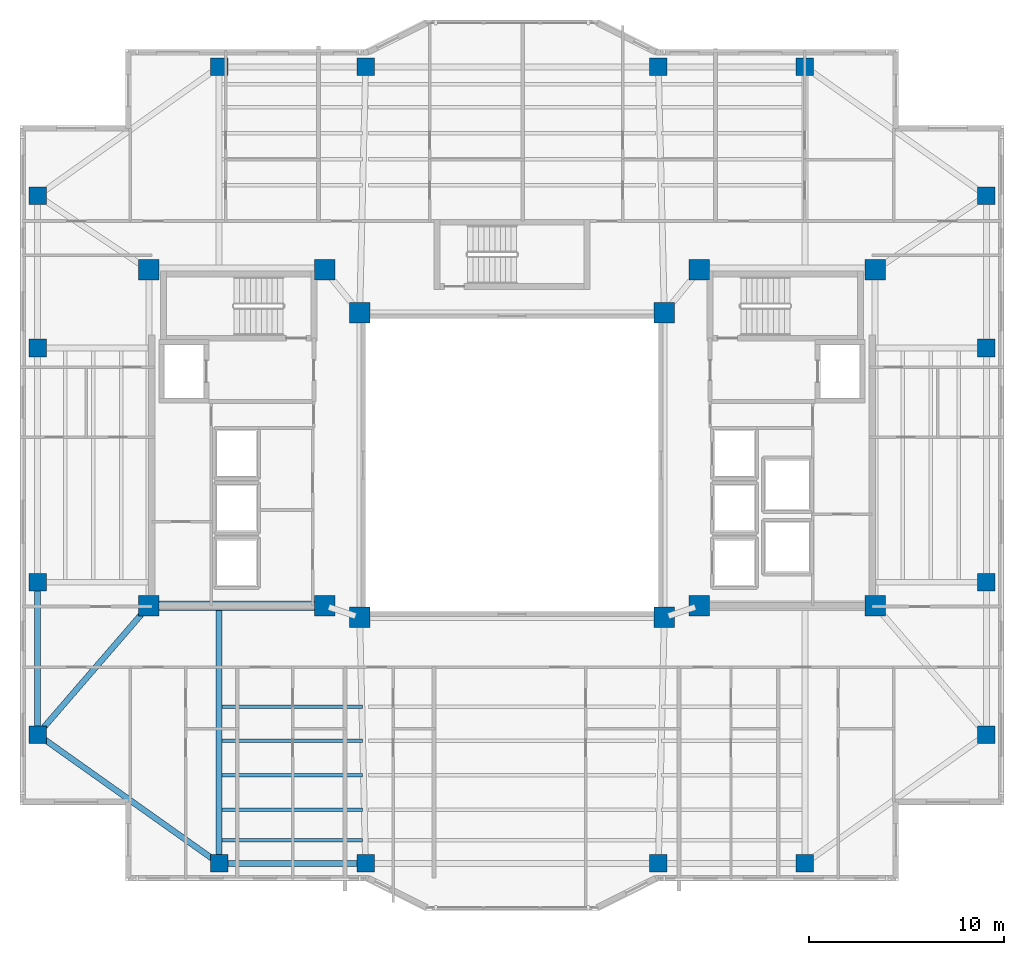
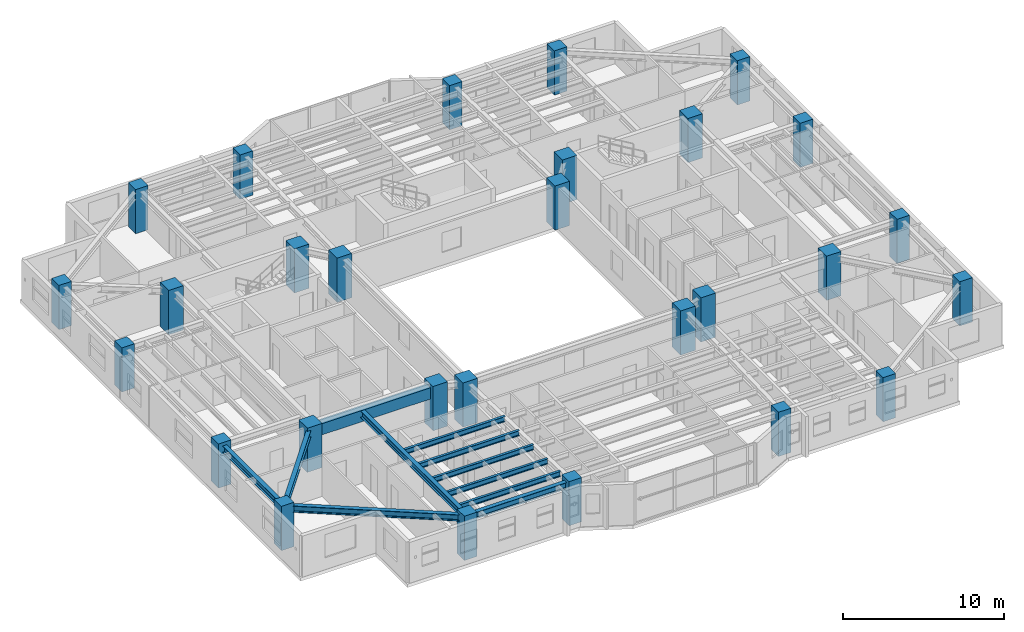
# One storey, part 1 of 16: 28 columns, 11 beams.
"""IFC4 building model written with IfcOpenShell, lengths in metres."""

from ifc_helpers import new_model, si_unit, direction, frame, origin, origin_2d, place, context, subcontext, project, spatial, rectangle, i_section, extrude, material, material_profile, profile_set, type_object, element, save


model = new_model("IFC4")

# Units and contexts
model_context = context("Model", 3, precision=1e-05, world=origin(), true_north=direction((0.0, 1.0)))
body_context = subcontext(model_context, "Body", "Model", "MODEL_VIEW")
ifc_project = project(units=[si_unit("LENGTHUNIT", "METRE"), si_unit("AREAUNIT", "SQUARE_METRE"), si_unit("VOLUMEUNIT", "CUBIC_METRE"), si_unit("PLANEANGLEUNIT", "RADIAN"), si_unit("MASSUNIT", "GRAM", prefix="KILO")], contexts=[model_context])

# Site, building, storey
site_placement = place(None, origin())
site = spatial("IfcSite", under=ifc_project, at=site_placement, CompositionType="ELEMENT")
building_placement = place(site_placement, origin())
building = spatial("IfcBuilding", under=site, at=building_placement, Name="Tarnavaz Court Tower", CompositionType="ELEMENT")
storey_placement = place(building_placement, frame((0.0, 0.0, 166.10009765625)))
storey = spatial("IfcBuildingStorey", under=building, at=storey_placement, Name="L45", CompositionType="ELEMENT", Elevation=166.10009765625)

# Columns
ifc_material_1 = material(Name="Concrete C60/75", Category="concrete")
ifc_material_profile_1 = material_profile(ifc_material_1, rectangle(XDim=1.050048828125, YDim=1.050048828125, at=origin_2d()), Name="RC 1050X1050")
ifc_profile_set_1 = profile_set([ifc_material_profile_1], Name="Concrete C60/75")
column_type_1 = type_object("IfcColumnType", Name="CL-RC1050", PredefinedType="COLUMN", material=ifc_profile_set_1)
for number, where, z_axis, x_axis, name in (
    (1, (-7.800048828125, -7.800048828125, 0.0), (0.0, 0.0, 1.0), (1.0, 0.0, 0.0), "L45 Column IW-SW"),
    (2, (7.800048828125, -7.800048828125, 0.0), (0.0, 0.0, 1.0), (1.0, 0.0, 0.0), "L45 Column IW-SE"),
    (3, (-7.800048828125, 7.800048828125, 0.0), (0.0, 0.0, 1.0), (1.0, 0.0, 0.0), "L45 Column IW-NW"),
    (4, (7.800048828125, 7.800048828125, 0.0), (0.0, 0.0, 1.0), (1.0, 0.0, 0.0), "L45 Column IW-NE"),
    (5, (-9.60009765625, -7.199951171875, 0.0), (0.0, 0.0, 1.0), (1.0, 0.0, 0.0), "L45 Column CW-SI"),
    (6, (-9.60009765625, 10.0, 0.0), (0.0, 0.0, 1.0), (1.0, 0.0, 0.0), "L45 Column CW-NI"),
    (7, (9.60009765625, -7.199951171875, 0.0), (0.0, 0.0, 1.0), (1.0, 0.0, 0.0), "L45 Column CE-SI"),
    (8, (9.60009765625, 10.0, 0.0), (0.0, 0.0, 1.0), (1.0, 0.0, 0.0), "L45 Column CE-NI"),
    (9, (-18.60009765625, -7.199951171875, 0.0), (0.0, 0.0, 1.0), (1.0, 0.0, 0.0), "L45 Column CW-SO"),
    (10, (-18.60009765625, 10.0, 0.0), (0.0, 0.0, 1.0), (1.0, 0.0, 0.0), "L45 Column CW-NO"),
    (11, (18.60009765625, -7.199951171875, 0.0), (0.0, 0.0, 1.0), (1.0, 0.0, 0.0), "L45 Column CE-SO"),
    (12, (18.60009765625, 10.0, 0.0), (0.0, 0.0, 1.0), (1.0, 0.0, 0.0), "L45 Column CE-NO"),
):
    element("IfcColumn", number, at=place(storey_placement, frame(where, z_axis=z_axis, x_axis=x_axis)), inside=storey, type_object=column_type_1, Name=name, PredefinedType="COLUMN", context=body_context, shape_type="SweptSolid", body=[
        extrude(rectangle(XDim=1.050048828125, YDim=1.050048828125, at=origin_2d()), origin(), (0.0, 0.0, 1.0), 3.349853515625),
    ])
ifc_material_2 = material(Name="Concrete C50/60", Category="concrete")
ifc_material_profile_2 = material_profile(ifc_material_2, rectangle(XDim=0.89990234375, YDim=0.89990234375, at=origin_2d()), Name="RC 900X900")
ifc_profile_set_2 = profile_set([ifc_material_profile_2], Name="Concrete C50/60")
column_type_2 = type_object("IfcColumnType", Name="CL-RC900", PredefinedType="COLUMN", material=ifc_profile_set_2)
for number, where, z_axis, x_axis, name in (
    (13, (-15.0, 20.39990234375, 0.0), (0.0, 0.0, 1.0), (1.0, 0.0, 0.0), "L45 Column PN-1"),
    (14, (-7.5, 20.39990234375, 0.0), (0.0, 0.0, 1.0), (1.0, 0.0, 0.0), "L45 Column PN-2"),
    (15, (7.5, 20.39990234375, 0.0), (0.0, 0.0, 1.0), (1.0, 0.0, 0.0), "L45 Column PN-3"),
    (16, (15.0, 20.39990234375, 0.0), (0.0, 0.0, 1.0), (1.0, 0.0, 0.0), "L45 Column PN-4"),
    (17, (-15.0, -20.39990234375, 0.0), (0.0, 0.0, 1.0), (1.0, 0.0, 0.0), "L45 Column PS-1"),
    (18, (-7.5, -20.39990234375, 0.0), (0.0, 0.0, 1.0), (1.0, 0.0, 0.0), "L45 Column PS-2"),
    (19, (7.5, -20.39990234375, 0.0), (0.0, 0.0, 1.0), (1.0, 0.0, 0.0), "L45 Column PS-3"),
    (20, (15.0, -20.39990234375, 0.0), (0.0, 0.0, 1.0), (1.0, 0.0, 0.0), "L45 Column PS-4"),
    (21, (24.300048828125, -13.800048828125, 0.0), (0.0, 0.0, 1.0), (1.0, 0.0, 0.0), "L45 Column PE-1"),
    (22, (24.300048828125, -6.0, 0.0), (0.0, 0.0, 1.0), (1.0, 0.0, 0.0), "L45 Column PE-2"),
    (23, (24.300048828125, 6.0, 0.0), (0.0, 0.0, 1.0), (1.0, 0.0, 0.0), "L45 Column PE-3"),
    (24, (24.300048828125, 13.800048828125, 0.0), (0.0, 0.0, 1.0), (1.0, 0.0, 0.0), "L45 Column PE-4"),
    (25, (-24.300048828125, -13.800048828125, 0.0), (0.0, 0.0, 1.0), (1.0, 0.0, 0.0), "L45 Column PW-1"),
    (26, (-24.300048828125, -6.0, 0.0), (0.0, 0.0, 1.0), (1.0, 0.0, 0.0), "L45 Column PW-2"),
    (27, (-24.300048828125, 6.0, 0.0), (0.0, 0.0, 1.0), (1.0, 0.0, 0.0), "L45 Column PW-3"),
    (28, (-24.300048828125, 13.800048828125, 0.0), (0.0, 0.0, 1.0), (1.0, 0.0, 0.0), "L45 Column PW-4"),
):
    element("IfcColumn", number, at=place(storey_placement, frame(where, z_axis=z_axis, x_axis=x_axis)), inside=storey, type_object=column_type_2, Name=name, PredefinedType="COLUMN", context=body_context, shape_type="SweptSolid", body=[
        extrude(rectangle(XDim=0.89990234375, YDim=0.89990234375, at=origin_2d()), origin(), (0.0, 0.0, 1.0), 3.349853515625),
    ])

# Beams
ifc_material_profile_3 = material_profile(ifc_material_2, rectangle(XDim=0.5, YDim=0.85009765625, at=origin_2d()), Name="RC 500X850")
ifc_profile_set_3 = profile_set([ifc_material_profile_3], Name="Concrete C50/60")
beam_type_1 = type_object("IfcBeamType", Name="BM-CB850", PredefinedType="LINTEL", material=ifc_profile_set_3)
beam_1_placement = place(storey_placement, frame((-18.3798828125, -7.199951171875, 2.6748046875), z_axis=(1.0, 0.0, 0.0), x_axis=(0.0, 1.0, 0.0)))
element("IfcBeam", 29, at=beam_1_placement, inside=storey, type_object=beam_type_1, Name="L45 Beam IN-CW-SO-CW-SI", PredefinedType="LINTEL", context=body_context, shape_type="SweptSolid", body=[
    extrude(rectangle(XDim=0.5, YDim=0.85009765625, at=origin_2d()), origin(), (0.0, 0.0, 1.0), 8.559814453125),
])
ifc_material_3 = material(Name="Steel S355", Category="steel")
ifc_material_profile_4 = material_profile(ifc_material_3, i_section(OverallWidth=0.300048828125, OverallDepth=0.5, WebThickness=0.014404296875, FlangeThickness=0.028076171875, FilletRadius=0.027099609375, at=origin_2d()), Name="HEB 500")
ifc_profile_set_4 = profile_set([ifc_material_profile_4], Name="Steel S355")
beam_type_2 = type_object("IfcBeamType", Name="BM-G-HEB500", PredefinedType="USERDEFINED", material=ifc_profile_set_4)
beam_2_placement = place(storey_placement, frame((-15.0, -7.239990234375, 2.849853515625), z_axis=(0.0, -1.0, 0.0), x_axis=(1.0, 0.0, 0.0)))
element("IfcBeam", 30, at=beam_2_placement, inside=storey, type_object=beam_type_2, Name="L45 Beam RG-05", ObjectType="GIRDER", PredefinedType="USERDEFINED", context=body_context, shape_type="SweptSolid", body=[
    extrude(i_section(OverallWidth=0.300048828125, OverallDepth=0.5, WebThickness=0.014404296875, FlangeThickness=0.028076171875, FilletRadius=0.027099609375, at=origin_2d()), origin(), (0.0, 0.0, 1.0), 12.93994140625),
])
beam_3_placement = place(storey_placement, frame((-18.743896484375, -7.366455078125, 2.849853515625), z_axis=(-0.653610659012, -0.756830962914, 0.0), x_axis=(0.756830962914, -0.653610659012, 0.0)))
element("IfcBeam", 31, at=beam_3_placement, inside=storey, type_object=beam_type_2, Name="L45 Beam RG-15", ObjectType="GIRDER", PredefinedType="USERDEFINED", context=body_context, shape_type="SweptSolid", body=[
    extrude(i_section(OverallWidth=0.300048828125, OverallDepth=0.5, WebThickness=0.014404296875, FlangeThickness=0.028076171875, FilletRadius=0.027099609375, at=origin_2d()), origin(), (0.0, 0.0, 1.0), 8.28076171875),
])
ifc_material_profile_5 = material_profile(ifc_material_3, i_section(OverallWidth=0.179931640625, OverallDepth=0.39990234375, WebThickness=0.008544921875, FlangeThickness=0.013427734375, FilletRadius=0.02099609375, at=origin_2d()), Name="IPE 400")
ifc_profile_set_5 = profile_set([ifc_material_profile_5], Name="Steel S355")
beam_type_3 = type_object("IfcBeamType", Name="BM-J-IPE400", PredefinedType="JOIST", material=ifc_profile_set_5)
for number, where, z_axis, x_axis, name in (
    (32, (-14.85009765625, -12.364013671875, 2.89990234375), (1.0, 0.0, 0.0), (0.0, 1.0, 0.0), "L45 Beam JS1-1"),
    (33, (-14.85009765625, -14.1279296875, 2.89990234375), (1.0, 0.0, 0.0), (0.0, 1.0, 0.0), "L45 Beam JS2-1"),
    (34, (-14.85009765625, -15.89208984375, 2.89990234375), (1.0, 0.0, 0.0), (0.0, 1.0, 0.0), "L45 Beam JS3-1"),
    (35, (-14.85009765625, -17.656005859375, 2.89990234375), (1.0, 0.0, 0.0), (0.0, 1.0, 0.0), "L45 Beam JS4-1"),
    (36, (-14.85009765625, -19.22412109375, 2.89990234375), (1.0, 0.0, 0.0), (0.0, 1.0, 0.0), "L45 Beam JS5-1"),
):
    element("IfcBeam", number, at=place(storey_placement, frame(where, z_axis=z_axis, x_axis=x_axis)), inside=storey, type_object=beam_type_3, Name=name, PredefinedType="JOIST", context=body_context, shape_type="SweptSolid", body=[
        extrude(i_section(OverallWidth=0.179931640625, OverallDepth=0.39990234375, WebThickness=0.008544921875, FlangeThickness=0.013427734375, FilletRadius=0.02099609375, at=origin_2d()), origin(), (0.0, 0.0, 1.0), 7.2001953125),
    ])
ifc_material_profile_6 = material_profile(ifc_material_3, i_section(OverallWidth=0.300048828125, OverallDepth=0.489990234375, WebThickness=0.011962890625, FlangeThickness=0.02294921875, FilletRadius=0.027099609375, at=origin_2d()), Name="HEA 500")
ifc_profile_set_6 = profile_set([ifc_material_profile_6], Name="Steel S355")
beam_type_4 = type_object("IfcBeamType", Name="BM-SP-HEA500", PredefinedType="SPANDREL", material=ifc_profile_set_6)
beam_4_placement = place(storey_placement, frame((-14.780029296875, -20.39990234375, 2.85498046875), z_axis=(1.0, 0.0, 0.0), x_axis=(0.0, 1.0, 0.0)))
element("IfcBeam", 37, at=beam_4_placement, inside=storey, type_object=beam_type_4, Name="L45 Beam PR-PS-1-PS-2", PredefinedType="SPANDREL", context=body_context, shape_type="SweptSolid", body=[
    extrude(i_section(OverallWidth=0.300048828125, OverallDepth=0.489990234375, WebThickness=0.011962890625, FlangeThickness=0.02294921875, FilletRadius=0.027099609375, at=origin_2d()), origin(), (0.0, 0.0, 1.0), 7.06005859375),
])
beam_5_placement = place(storey_placement, frame((-24.300048828125, -13.580078125, 2.85498046875), z_axis=(0.0, 1.0, 0.0), x_axis=(-1.0, 0.0, 0.0)))
element("IfcBeam", 38, at=beam_5_placement, inside=storey, type_object=beam_type_4, Name="L45 Beam PR-PW-1-PW-2", PredefinedType="SPANDREL", context=body_context, shape_type="SweptSolid", body=[
    extrude(i_section(OverallWidth=0.300048828125, OverallDepth=0.489990234375, WebThickness=0.011962890625, FlangeThickness=0.02294921875, FilletRadius=0.027099609375, at=origin_2d()), origin(), (0.0, 0.0, 1.0), 7.360107421875),
])
beam_6_placement = place(storey_placement, frame((-15.179443359375, -20.272705078125, 2.85498046875), z_axis=(-0.815502059396, 0.57875417158, 0.0), x_axis=(-0.57875417158, -0.815502059396, 0.0)))
element("IfcBeam", 39, at=beam_6_placement, inside=storey, type_object=beam_type_4, Name="L45 Beam PR-PS-1-PW-1", PredefinedType="SPANDREL", context=body_context, shape_type="SweptSolid", body=[
    extrude(i_section(OverallWidth=0.300048828125, OverallDepth=0.489990234375, WebThickness=0.011962890625, FlangeThickness=0.02294921875, FilletRadius=0.027099609375, at=origin_2d()), origin(), (0.0, 0.0, 1.0), 10.964111328125),
])

save(model, "model.ifc")
